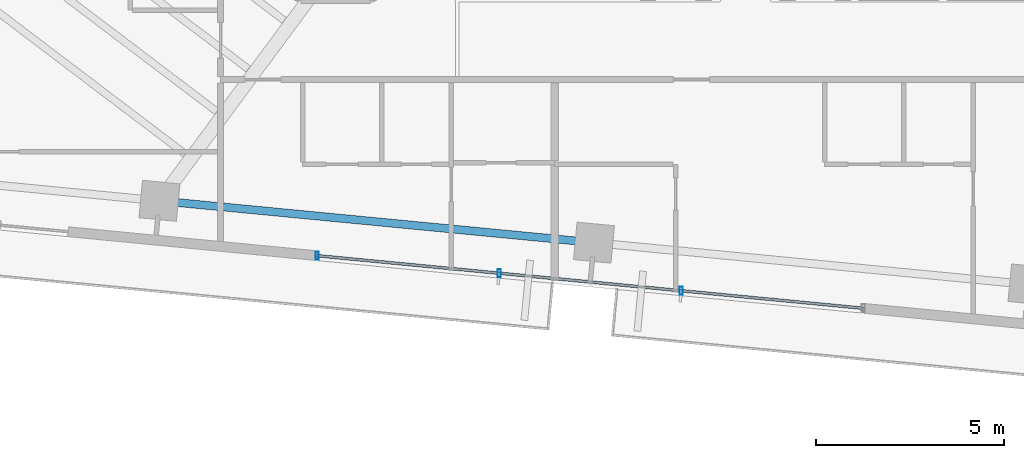
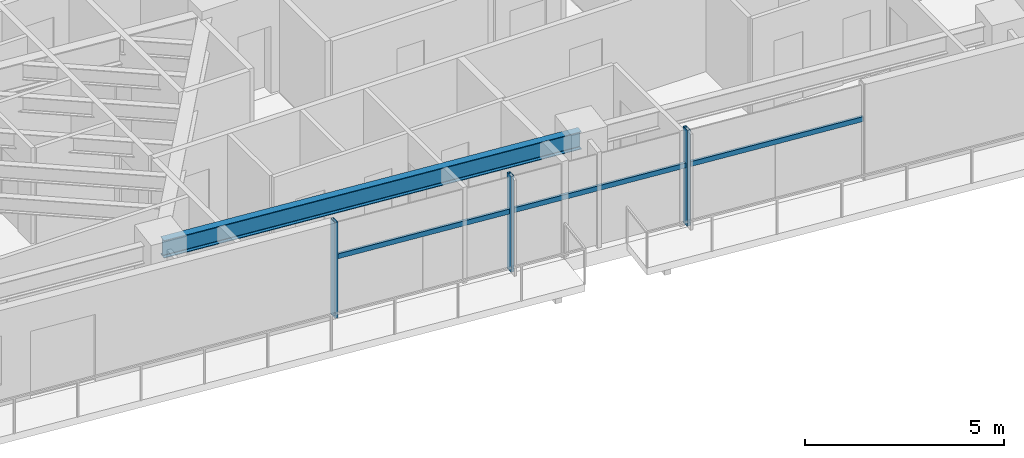
# One storey, part 4 of 19: 6 members, 1 beam, 1 element without a shape of its own.
"""IFC4 building model written with IfcOpenShell, lengths in metres."""

from ifc_helpers import new_model, si_unit, direction, frame, origin, origin_2d, place, context, subcontext, project, spatial, hollow_rectangle, i_section, extrude, source, transform, mapped, material, material_profile, profile_set, type_object, type_shapes, element, aggregate, save


model = new_model("IFC4")

# Units and contexts
model_context = context("Model", 3, precision=1e-05, world=origin(), true_north=direction((0.0, 1.0)))
body_context = subcontext(model_context, "Body", "Model", "MODEL_VIEW")
ifc_project = project(units=[si_unit("LENGTHUNIT", "METRE"), si_unit("AREAUNIT", "SQUARE_METRE"), si_unit("VOLUMEUNIT", "CUBIC_METRE"), si_unit("PLANEANGLEUNIT", "RADIAN"), si_unit("MASSUNIT", "GRAM", prefix="KILO")], contexts=[model_context])

# Site, building, storey
site_placement = place(None, origin())
site = spatial("IfcSite", under=ifc_project, at=site_placement, CompositionType="ELEMENT")
building_placement = place(site_placement, origin())
building = spatial("IfcBuilding", under=site, at=building_placement, Name="Astriad Promenade Condominiums", CompositionType="ELEMENT")
storey_placement = place(building_placement, frame((0.0, 0.0, 124.60009765625)))
storey = spatial("IfcBuildingStorey", under=building, at=storey_placement, Name="L35", CompositionType="ELEMENT", Elevation=124.60009765625)

# Beam
ifc_material_1 = material(Name="Steel ASTM A992 Grade 50", Category="steel")
ifc_material_profile_1 = material_profile(ifc_material_1, i_section(OverallWidth=0.210693359375, OverallDepth=0.53955078125, WebThickness=0.01171875, FlangeThickness=0.018798828125, FilletRadius=0.0166015625, at=origin_2d()), Name="W21X73")
ifc_profile_set_1 = profile_set([ifc_material_profile_1], Name="Steel ASTM A992 Grade 50")
beam_type = type_object("IfcBeamType", Name="STEEL SPANDREL BEAM W21X73", PredefinedType="SPANDREL", material=ifc_profile_set_1)
shared_shape_1 = source(origin(), body_context, "Body", "SweptSolid", [
    extrude(i_section(OverallWidth=0.210693359375, OverallDepth=0.53955078125, WebThickness=0.01171875, FlangeThickness=0.018798828125, FilletRadius=0.0166015625, at=origin_2d()), origin(), (0.0, 0.0, 1.0), 11.52001953125),
])
type_shapes(beam_type, [shared_shape_1])
beam_placement = place(storey_placement, frame((20.467041015625, 9.32763671875, 2.670166015625), z_axis=(0.9953953902, -0.095854145285, 0.0), x_axis=(0.095854145285, 0.9953953902, 0.0)))
element("IfcBeam", 1, at=beam_placement, inside=storey, type_object=beam_type, Name="Perimeter Spandrel Beam SP-S2-L35", PredefinedType="SPANDREL", context=body_context, shape_type="MappedRepresentation", body=[
    mapped(shared_shape_1, transform((0.0, 0.0, 0.0), scale=1.0)),
])

# Curtain wall, members
ifc_material_2 = material(Name="Anodised aluminium Black Dark Glass Unitised", Category="aluminium")
curtain_wall_type = type_object("IfcCurtainWallType", Name="CW-B34-DARK", PredefinedType="USERDEFINED", material=ifc_material_2)
curtain_wall_placement = place(storey_placement, origin())
curtain_wall = element("IfcCurtainWall", 2, at=curtain_wall_placement, inside=storey, type_object=curtain_wall_type, Name="CW-L35-S", ObjectType="UNITISED_CURTAIN_WALL", PredefinedType="USERDEFINED")
ifc_material_3 = material(Name="Anodised aluminium 6063-T6 Black", Category="aluminium")
ifc_material_profile_2 = material_profile(ifc_material_3, hollow_rectangle(XDim=0.0849609375, YDim=0.219970703125, WallThickness=0.0048828125, at=origin_2d()), Name="ALU-MUL-85X220")
ifc_profile_set_2 = profile_set([ifc_material_profile_2], Name="Anodised aluminium 6063-T6 Black")
member_type_1 = type_object("IfcMemberType", Name="MUL-ALU-MUL-85X220", PredefinedType="MULLION", material=ifc_profile_set_2)
shared_shape_2 = source(origin(), body_context, "Body", "SweptSolid", [
    extrude(hollow_rectangle(XDim=0.0849609375, YDim=0.219970703125, WallThickness=0.0048828125, at=origin_2d()), origin(), (0.0, 0.0, 1.0), 2.93994140625),
])
type_shapes(member_type_1, [shared_shape_2])
member_1_placement = place(storey_placement, frame((34.2919921875, 6.941650390625, 0.0), z_axis=(0.0, 0.0, 1.0), x_axis=(1.0, 0.0, 0.0)))
member_1 = element("IfcMember", 3, at=member_1_placement, type_object=member_type_1, Name="CW-L35-S-MUL-01", PredefinedType="MULLION", context=body_context, shape_type="MappedRepresentation", body=[
    mapped(shared_shape_2, transform((0.0, 0.0, 0.0), scale=1.0)),
])
member_2_placement = place(storey_placement, frame((29.454345703125, 7.407470703125, 0.0), z_axis=(0.0, 0.0, 1.0), x_axis=(1.0, 0.0, 0.0)))
member_2 = element("IfcMember", 4, at=member_2_placement, type_object=member_type_1, Name="CW-L35-S-MUL-02", PredefinedType="MULLION", context=body_context, shape_type="MappedRepresentation", body=[
    mapped(shared_shape_2, transform((0.0, 0.0, 0.0), scale=1.0)),
])
member_3_placement = place(storey_placement, frame((24.61669921875, 7.873291015625, 0.0), z_axis=(0.0, 0.0, 1.0), x_axis=(1.0, 0.0, 0.0)))
member_3 = element("IfcMember", 5, at=member_3_placement, type_object=member_type_1, Name="CW-L35-S-MUL-03", PredefinedType="MULLION", context=body_context, shape_type="MappedRepresentation", body=[
    mapped(shared_shape_2, transform((0.0, 0.0, 0.0), scale=1.0)),
])
ifc_material_profile_3 = material_profile(ifc_material_3, hollow_rectangle(XDim=0.074951171875, YDim=0.14990234375, WallThickness=0.004150390625, at=origin_2d()), Name="ALU-TRN-75X150")
ifc_profile_set_3 = profile_set([ifc_material_profile_3], Name="Anodised aluminium 6063-T6 Black")
member_type_2 = type_object("IfcMemberType", Name="TRN-ALU-TRN-75X150", PredefinedType="USERDEFINED", material=ifc_profile_set_3)
shared_shape_3 = source(origin(), body_context, "Body", "SweptSolid", [
    extrude(hollow_rectangle(XDim=0.074951171875, YDim=0.14990234375, WallThickness=0.004150390625, at=origin_2d()), origin(), (0.0, 0.0, 1.0), 4.860107421875),
])
type_shapes(member_type_2, [shared_shape_3])
member_4_placement = place(storey_placement, frame((39.129638671875, 6.475830078125, 1.82275390625), z_axis=(-0.995396042559, 0.095847370639, 0.0), x_axis=(-0.095847370639, -0.995396042559, 0.0)))
member_4 = element("IfcMember", 6, at=member_4_placement, type_object=member_type_2, Name="CW-L35-S-TRN-00-0", ObjectType="TRANSOM", PredefinedType="USERDEFINED", context=body_context, shape_type="MappedRepresentation", body=[
    mapped(shared_shape_3, transform((0.0, 0.0, 0.0), scale=1.0)),
])
member_5_placement = place(storey_placement, frame((34.2919921875, 6.941650390625, 1.82275390625), z_axis=(-0.995396042559, 0.095847370639, 0.0), x_axis=(-0.095847370639, -0.995396042559, 0.0)))
member_5 = element("IfcMember", 7, at=member_5_placement, type_object=member_type_2, Name="CW-L35-S-TRN-01-0", ObjectType="TRANSOM", PredefinedType="USERDEFINED", context=body_context, shape_type="MappedRepresentation", body=[
    mapped(shared_shape_3, transform((0.0, 0.0, 0.0), scale=1.0)),
])
member_6_placement = place(storey_placement, frame((29.454345703125, 7.407470703125, 1.82275390625), z_axis=(-0.995396042559, 0.095847370639, 0.0), x_axis=(-0.095847370639, -0.995396042559, 0.0)))
member_6 = element("IfcMember", 8, at=member_6_placement, type_object=member_type_2, Name="CW-L35-S-TRN-02-0", ObjectType="TRANSOM", PredefinedType="USERDEFINED", context=body_context, shape_type="MappedRepresentation", body=[
    mapped(shared_shape_3, transform((0.0, 0.0, 0.0), scale=1.0)),
])
aggregate(curtain_wall, [member_1, member_2, member_3, member_4, member_5, member_6])

save(model, "model.ifc")
